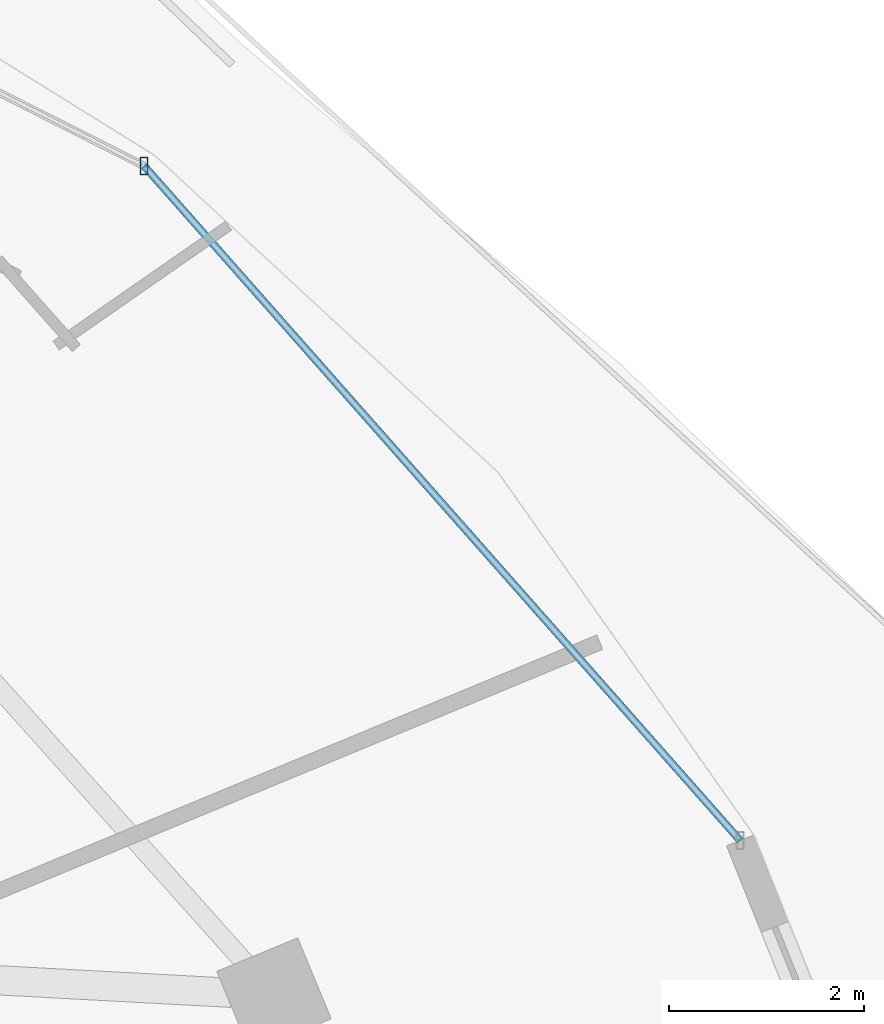
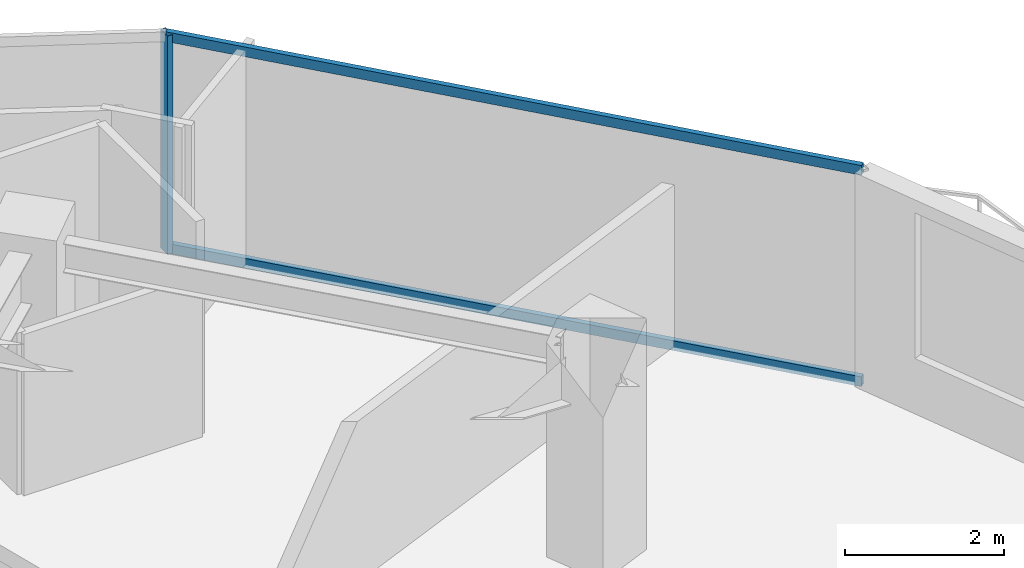
# One storey, part 22 of 33: 3 members, 1 element without a shape of its own.
"""IFC4 building model written with IfcOpenShell, lengths in metres."""

from ifc_helpers import new_model, si_unit, direction, frame, origin, origin_2d, place, context, subcontext, project, spatial, hollow_rectangle, extrude, material, material_profile, profile_set, type_object, element, aggregate, save


model = new_model("IFC4")

# Units and contexts
model_context = context("Model", 3, precision=1e-05, world=origin(), true_north=direction((0.0, 1.0)))
body_context = subcontext(model_context, "Body", "Model", "MODEL_VIEW")
ifc_project = project(units=[si_unit("LENGTHUNIT", "METRE"), si_unit("AREAUNIT", "SQUARE_METRE"), si_unit("VOLUMEUNIT", "CUBIC_METRE"), si_unit("PLANEANGLEUNIT", "RADIAN"), si_unit("MASSUNIT", "GRAM", prefix="KILO")], contexts=[model_context])

# Site, building, storey
site_placement = place(None, origin())
site = spatial("IfcSite", under=ifc_project, at=site_placement, CompositionType="ELEMENT")
building_placement = place(site_placement, origin())
building = spatial("IfcBuilding", under=site, at=building_placement, Name="Vorneva Point Tower", CompositionType="ELEMENT")
storey_placement = place(building_placement, frame((0.0, 0.0, 217.85009765625)))
storey = spatial("IfcBuildingStorey", under=building, at=storey_placement, Name="L59", CompositionType="ELEMENT", Elevation=217.85009765625)

# Curtain wall, members
ifc_material = material(Name="Pale anodised aluminium", Category="aluminium")
curtain_wall_type = type_object("IfcCurtainWallType", Name="CW-RES-SYS", PredefinedType="NOTDEFINED", material=ifc_material)
curtain_wall_placement = place(storey_placement, origin())
curtain_wall = element("IfcCurtainWall", 1, at=curtain_wall_placement, inside=storey, type_object=curtain_wall_type, Name="L59 Unitised Curtain Wall CW-L59-R01", PredefinedType="NOTDEFINED")
ifc_material_profile_1 = material_profile(ifc_material, hollow_rectangle(XDim=0.074951171875, YDim=0.179931640625, WallThickness=0.00390625, at=origin_2d()), Name="AL-MUL 180x75x4")
ifc_profile_set_1 = profile_set([ifc_material_profile_1], Name="Pale anodised aluminium")
member_type_1 = type_object("IfcMemberType", Name="CW-MUL-180", PredefinedType="MULLION", material=ifc_profile_set_1)
member_1_placement = place(storey_placement, frame((57.961669921875, 41.0966796875, -0.0400390625), z_axis=(0.0, 0.0, 1.0), x_axis=(1.0, 0.0, 0.0)))
member_1 = element("IfcMember", 2, at=member_1_placement, type_object=member_type_1, Name="CW-L59-R01 Mullion 02", PredefinedType="MULLION", context=body_context, shape_type="SweptSolid", body=[
    extrude(hollow_rectangle(XDim=0.074951171875, YDim=0.179931640625, WallThickness=0.00390625, at=origin_2d()), origin(), (0.0, 0.0, 1.0), 3.35986328125),
])
ifc_material_profile_2 = material_profile(ifc_material, hollow_rectangle(XDim=0.074951171875, YDim=0.14990234375, WallThickness=0.00390625, at=origin_2d()), Name="AL-TRN 150x75x4")
ifc_profile_set_2 = profile_set([ifc_material_profile_2], Name="Pale anodised aluminium")
member_type_2 = type_object("IfcMemberType", Name="CW-TRN-150", PredefinedType="USERDEFINED", material=ifc_profile_set_2)
member_2_placement = place(storey_placement, frame((64.0810546875, 34.17041015625, 0.02001953125), z_axis=(-0.662106383869, 0.749409858782, 0.0), x_axis=(-0.749409858782, -0.662106383869, 0.0)))
member_2 = element("IfcMember", 3, at=member_2_placement, type_object=member_type_2, Name="CW-L59-R01 Transom 01.1", ObjectType="TRANSOM", PredefinedType="USERDEFINED", context=body_context, shape_type="SweptSolid", body=[
    extrude(hollow_rectangle(XDim=0.074951171875, YDim=0.14990234375, WallThickness=0.00390625, at=origin_2d()), origin(), (0.0, 0.0, 1.0), 9.2421875),
])
member_3_placement = place(storey_placement, frame((64.0810546875, 34.17041015625, 3.27001953125), z_axis=(-0.662106383869, 0.749409858782, 0.0), x_axis=(-0.749409858782, -0.662106383869, 0.0)))
member_3 = element("IfcMember", 4, at=member_3_placement, type_object=member_type_2, Name="CW-L59-R01 Transom 01.2", ObjectType="TRANSOM", PredefinedType="USERDEFINED", context=body_context, shape_type="SweptSolid", body=[
    extrude(hollow_rectangle(XDim=0.074951171875, YDim=0.14990234375, WallThickness=0.00390625, at=origin_2d()), origin(), (0.0, 0.0, 1.0), 9.2421875),
])
aggregate(curtain_wall, [member_1, member_2, member_3])

save(model, "model.ifc")
